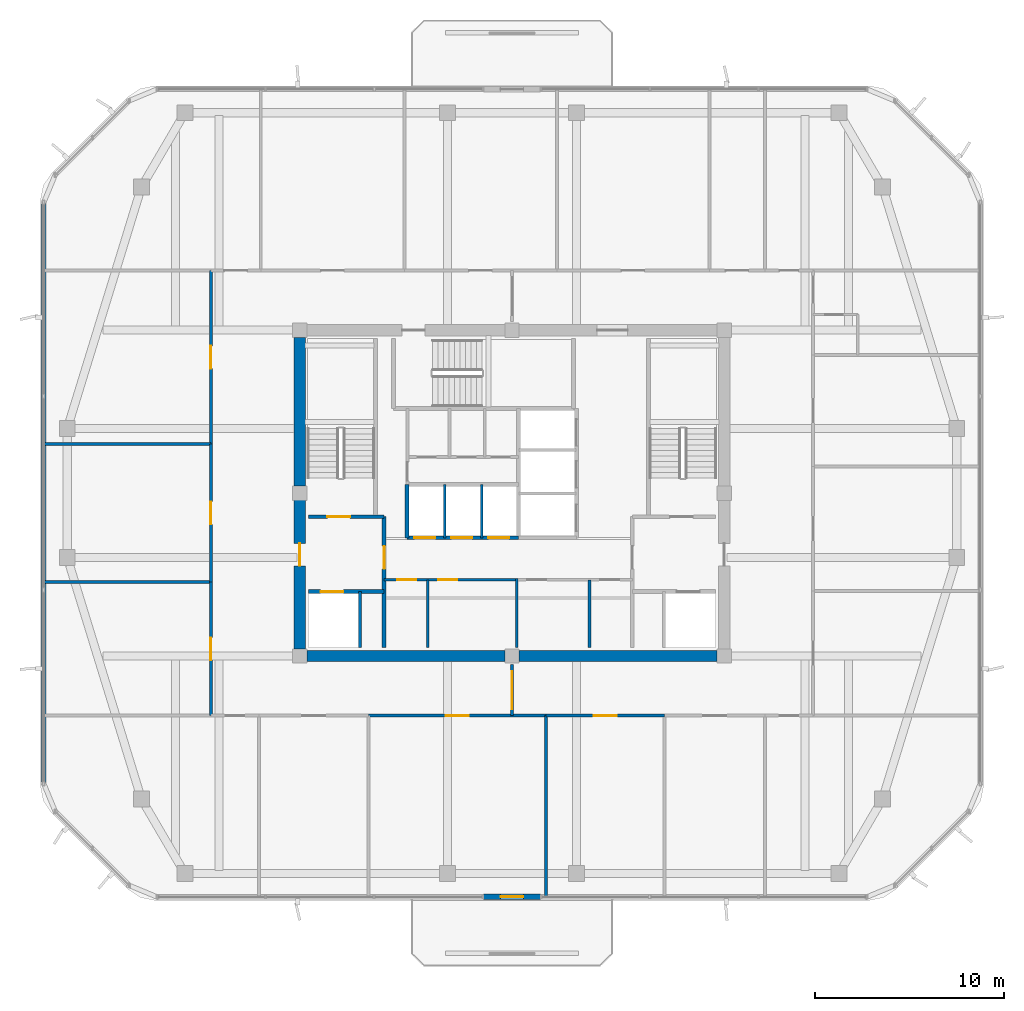
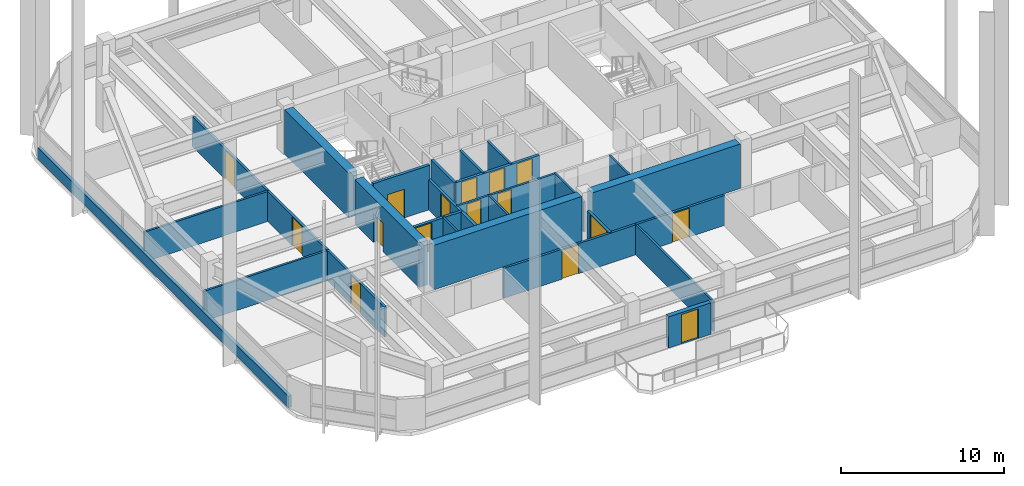
# One storey, part 7 of 13: 27 walls, 16 doors, 16 openings.
"""IFC4 building model written with IfcOpenShell, lengths in metres."""

import ifcopenshell
import ifcopenshell.guid

model = None  # the IFC model being written
_history = None  # IfcOwnerHistory: only IFC2X3 demands one
_inside = {}  # id of a spatial element -> (the spatial element, [elements in it])
_under = {}  # id of a project, library or spatial element -> (it, [spatial elements below it])
_declared = {}  # id of a project -> (the project, [libraries it declares])
_typed = {}  # id of a type object -> (the type object, [elements of that type])
_made_of = {}  # id of a material, layer set ... -> (it, [elements and type objects made of it])


def new_model(schema):
    """Start an empty IFC model of exactly this schema.

    Asked for "IFC4X3", IfcOpenShell would pick the latest addendum, in which some entities
    have other attributes; the version numbers below select the first issue.
    IFC2X3 requires an IfcOwnerHistory on every rooted entity: one is made here for all.
    """
    global model, _history
    if schema == "IFC4X3":
        model = ifcopenshell.file(schema_version=(4, 3, 0, 0))
    else:
        model = ifcopenshell.file(schema=schema)
    _inside.clear()
    _under.clear()
    _declared.clear()
    _typed.clear()
    _made_of.clear()
    _history = None
    if model.schema == "IFC2X3":
        org = make("IfcOrganization", Name="unknown")
        user = make(
            "IfcPersonAndOrganization",
            ThePerson=make("IfcPerson", FamilyName="unknown"),
            TheOrganization=org,
        )
        app = make(
            "IfcApplication",
            ApplicationDeveloper=org,
            Version="unknown",
            ApplicationFullName="unknown",
            ApplicationIdentifier="unknown",
        )
        _history = make(
            "IfcOwnerHistory",
            OwningUser=user,
            OwningApplication=app,
            ChangeAction="ADDED",
            CreationDate=0,
        )
    return model


def make(cls, **values):
    """One entity of the class cls with the attributes given. An attribute that is None is left unset."""
    return model.create_entity(
        cls, **{name: value for name, value in values.items() if value is not None}
    )


def rooted(cls, **values):
    """An entity with a GlobalId (a new one), such as an element, a storey or a relation."""
    return make(cls, GlobalId=ifcopenshell.guid.new(), OwnerHistory=_history, **values)


def si_unit(unit_type, name, prefix=None):
    """IfcSIUnit, for example si_unit("LENGTHUNIT", "METRE", prefix="MILLI")."""
    return make("IfcSIUnit", UnitType=unit_type, Prefix=prefix, Name=name)


def derived_unit(unit_type, elements):
    """IfcDerivedUnit: a product of units, each with its exponent."""
    return make(
        "IfcDerivedUnit",
        Elements=[
            make("IfcDerivedUnitElement", Unit=unit, Exponent=power)
            for unit, power in elements
        ],
        UnitType=unit_type,
    )


def assignment(units):
    """IfcUnitAssignment: the units of a project."""
    return None if units is None else make("IfcUnitAssignment", Units=units)


def point(xyz):
    """IfcCartesianPoint."""
    return None if xyz is None else make("IfcCartesianPoint", Coordinates=xyz)


def direction(xyz):
    """IfcDirection."""
    return None if xyz is None else make("IfcDirection", DirectionRatios=xyz)


def frame(location, z_axis=None, x_axis=None):
    """IfcAxis2Placement3D, a coordinate frame: its origin and axes. An axis left out is left unset."""
    return make(
        "IfcAxis2Placement3D",
        Location=point(location),
        Axis=direction(z_axis),
        RefDirection=direction(x_axis),
    )


def frame_2d(location, x_axis=None):
    """IfcAxis2Placement2D, a coordinate frame in the plane: its origin and x axis."""
    return make(
        "IfcAxis2Placement2D", Location=point(location), RefDirection=direction(x_axis)
    )


def origin():
    """The frame at (0, 0, 0) with its axes left unset."""
    return frame((0.0, 0.0, 0.0))


def place(relative_to, where):
    """IfcLocalPlacement: puts the frame where relative to a parent placement (None: the world)."""
    return make(
        "IfcLocalPlacement", PlacementRelTo=relative_to, RelativePlacement=where
    )


def context(
    kind, dimensions, precision=None, world=None, true_north=None, identifier=None
):
    """IfcGeometricRepresentationContext, for example the 3D "Model" context."""
    return make(
        "IfcGeometricRepresentationContext",
        ContextIdentifier=identifier,
        ContextType=kind,
        CoordinateSpaceDimension=dimensions,
        Precision=precision,
        WorldCoordinateSystem=world,
        TrueNorth=true_north,
    )


def subcontext(parent, identifier, kind, view, scale=None):
    """IfcGeometricRepresentationSubContext, for example "Body" below "Model"."""
    return make(
        "IfcGeometricRepresentationSubContext",
        ContextIdentifier=identifier,
        ContextType=kind,
        ParentContext=parent,
        TargetScale=scale,
        TargetView=view,
    )


def project(units=None, contexts=None):
    """IfcProject with its units and contexts."""
    return rooted(
        "IfcProject",
        Name="project",
        RepresentationContexts=contexts,
        UnitsInContext=assignment(units),
    )


def spatial(cls, under=None, at=None, **own):
    """A site, building, storey or space (cls), placed at a placement, below another one or the project."""
    s = rooted(cls, ObjectPlacement=at, **own)
    if under is not None:
        _under.setdefault(under.id(), (under, []))[1].append(s)
    return s


def profile(cls, at=None, kind="AREA", **sizes):
    """A parametric profile (cls). Its sizes go by their IFC names, for example OverallWidth=200.0."""
    return make(cls, ProfileType=kind, Position=at, **sizes)


def rectangle(**sizes):
    """IfcRectangleProfileDef."""
    return profile("IfcRectangleProfileDef", **sizes)


def extrude(swept, where, along, depth):
    """IfcExtrudedAreaSolid: the profile swept, set in the frame where, extruded along a direction by depth."""
    return make(
        "IfcExtrudedAreaSolid",
        SweptArea=swept,
        Position=where,
        ExtrudedDirection=direction(along),
        Depth=depth,
    )


def shape(context_of_items, identifier, shape_type, items):
    """IfcShapeRepresentation: the items that make up one representation, for example the "Body"."""
    return make(
        "IfcShapeRepresentation",
        ContextOfItems=context_of_items,
        RepresentationIdentifier=identifier,
        RepresentationType=shape_type,
        Items=items,
    )


def material(Name=None, Category=None):
    """IfcMaterial."""
    return make("IfcMaterial", Name=Name, Category=Category)


def layer(
    of_material, thickness, ventilated=None, Name=None, Category=None, Priority=None
):
    """IfcMaterialLayer: one layer of a wall or slab, of a material (None: an air gap)."""
    return make(
        "IfcMaterialLayer",
        Material=of_material,
        LayerThickness=thickness,
        IsVentilated=ventilated,
        Name=Name,
        Category=Category,
        Priority=Priority,
    )


def layer_set(layers, Name=None):
    """IfcMaterialLayerSet."""
    return make("IfcMaterialLayerSet", MaterialLayers=layers, LayerSetName=Name)


def made_of(thing, what):
    """Note that an element or type object is made of a material, layer set ...; save() writes the relation."""
    if what is not None:
        _made_of.setdefault(what.id(), (what, []))[1].append(thing)
    return thing


def type_object(cls, material=None, **own):
    """A type object (cls), such as IfcWallType, which elements share."""
    return made_of(rooted(cls, **own), material)


def element(
    cls,
    number,
    at=None,
    inside=None,
    cuts=None,
    type_object=None,
    material=None,
    context=None,
    identifier="Body",
    shape_type=None,
    held_by="IfcProductDefinitionShape",
    body=None,
    shapes=None,
    **own,
):
    """One element of the class cls, such as IfcWall. Its Tag is "e" and its number.

    at: its placement. inside: the storey or other place that contains it. cuts: it is an
    opening in that element (IfcRelVoidsElement). A single representation is given by context,
    identifier, shape_type and body (its items); several are given by shapes. held_by: the class
    of the entity that holds the representations. save() writes the other relations.
    """
    e = rooted(cls, Tag="e%d" % number, ObjectPlacement=at, **own)
    if body is not None:
        shapes = [shape(context, identifier, shape_type, body)]
    if shapes is not None:
        e.Representation = make(held_by, Representations=shapes)
    if inside is not None:
        _inside.setdefault(inside.id(), (inside, []))[1].append(e)
    if cuts is not None:
        rooted(
            "IfcRelVoidsElement", RelatingBuildingElement=cuts, RelatedOpeningElement=e
        )
    if type_object is not None:
        _typed.setdefault(type_object.id(), (type_object, []))[1].append(e)
    return made_of(e, material)


def fill(opening, filler):
    """IfcRelFillsElement: the door or window that sits in an opening."""
    return rooted(
        "IfcRelFillsElement",
        RelatingOpeningElement=opening,
        RelatedBuildingElement=filler,
    )


def aggregate(whole, parts):
    """IfcRelAggregates: a whole, such as a stair, and the parts it consists of."""
    return rooted("IfcRelAggregates", RelatingObject=whole, RelatedObjects=parts)


def save(model, path):
    """Write the relations noted so far, then the file.

    IfcRelAggregates (storeys below a building ...), IfcRelContainedInSpatialStructure (elements
    in a storey), IfcRelDefinesByType, IfcRelAssociatesMaterial and IfcRelDeclares: one each for
    every whole, place, type object, material and project.
    """
    for whole, parts in _under.values():
        aggregate(whole, parts)
    for where, things in _inside.values():
        rooted(
            "IfcRelContainedInSpatialStructure",
            RelatedElements=things,
            RelatingStructure=where,
        )
    for kind, things in _typed.values():
        rooted("IfcRelDefinesByType", RelatedObjects=things, RelatingType=kind)
    for what, things in _made_of.values():
        rooted("IfcRelAssociatesMaterial", RelatedObjects=things, RelatingMaterial=what)
    for by, libraries in _declared.values():
        rooted("IfcRelDeclares", RelatingContext=by, RelatedDefinitions=libraries)
    model.write(path)


model = new_model("IFC4")

# Units and contexts
model_context = context("Model", 3, precision=1e-05, world=origin(), true_north=direction((0.0, 1.0)))
body_context = subcontext(model_context, "Body", "Model", "MODEL_VIEW")
ifc_project = project(units=[si_unit("LENGTHUNIT", "METRE"), si_unit("AREAUNIT", "SQUARE_METRE"), si_unit("VOLUMEUNIT", "CUBIC_METRE"), si_unit("PLANEANGLEUNIT", "RADIAN"), si_unit("MASSUNIT", "GRAM", prefix="KILO"), derived_unit("THERMALTRANSMITTANCEUNIT", [(si_unit("POWERUNIT", "WATT"), 1), (si_unit("LENGTHUNIT", "METRE"), -2), (si_unit("THERMODYNAMICTEMPERATUREUNIT", "KELVIN"), -1)])], contexts=[model_context])

# Site, building, storey
site_placement = place(None, origin())
site = spatial("IfcSite", under=ifc_project, at=site_placement, CompositionType="ELEMENT")
building_placement = place(site_placement, origin())
building = spatial("IfcBuilding", under=site, at=building_placement, Name="Koralith Skygarden Medical Center", CompositionType="ELEMENT")
storey_placement = place(building_placement, frame((0.0, 0.0, 282.419921875)))
storey = spatial("IfcBuildingStorey", under=building, at=storey_placement, Name="L73", CompositionType="ELEMENT", Elevation=282.419921875)

# Wall, openings, doors
ifc_material_1 = material(Name="Gypsum Board Partition")
ifc_layer_1 = layer(ifc_material_1, 0.14990234375)
ifc_layer_set_1 = layer_set([ifc_layer_1], Name="Gypsum Board Partition")
wall_type_1 = type_object("IfcWallType", Name="Clinical Acoustic Partition 150", PredefinedType="PARTITIONING", material=ifc_layer_set_1)
wall_1_placement = place(storey_placement, frame((30.25, 21.320068359375, 0.0), z_axis=(0.0, 0.0, 1.0), x_axis=(1.0, 0.0, 0.0)))
wall_1 = element("IfcWall", 1, at=wall_1_placement, inside=storey, type_object=wall_type_1, Name="L73 Clinical Acoustic Partition 150 W-CORE-L73-FREED-LR-N", PredefinedType="PARTITIONING", context=body_context, shape_type="SweptSolid", body=[
    extrude(rectangle(XDim=7.0, YDim=0.14990234375, at=frame_2d((3.5, 0.0))), origin(), (0.0, 0.0, 1.0), 2.239990234375),
])
opening_1_placement = place(wall_1_placement, frame((0.699951171875, 0.0, 0.0)))
opening_1 = element("IfcOpeningElement", 2, at=opening_1_placement, cuts=wall_1, Name="Opening D-SUP", PredefinedType="OPENING", context=body_context, shape_type="SweptSolid", body=[
    extrude(rectangle(XDim=1.0, YDim=2.14990234375, at=frame_2d((0.5, 1.074951171875))), frame((0.0, 0.0849609375, 0.0), z_axis=(0.0, -1.0, 0.0), x_axis=(1.0, 0.0, 0.0)), (0.0, 0.0, 1.0), 0.169921875),
])
opening_2_placement = place(wall_1_placement, frame((2.85009765625, 0.0, 0.0)))
opening_2 = element("IfcOpeningElement", 3, at=opening_2_placement, cuts=wall_1, Name="Opening D-SUP", PredefinedType="OPENING", context=body_context, shape_type="SweptSolid", body=[
    extrude(rectangle(XDim=1.0, YDim=2.14990234375, at=frame_2d((0.5, 1.074951171875))), frame((0.0, 0.0849609375, 0.0), z_axis=(0.0, -1.0, 0.0), x_axis=(1.0, 0.0, 0.0)), (0.0, 0.0, 1.0), 0.169921875),
])
ifc_material_2 = material(Name="Aluminium 6063-T6", Category="aluminium")
door_type_1 = type_object("IfcDoorType", Name="Clinical Support Door D-SUP 1000", OperationType="NOTDEFINED", PredefinedType="DOOR", material=ifc_material_2)
door_1_placement = place(opening_1_placement, frame((1.0, 0.0, 0.0), z_axis=(0.0, 0.0, 1.0), x_axis=(-1.0, 0.0, 0.0)))
door_1 = element("IfcDoor", 4, at=door_1_placement, inside=storey, type_object=door_type_1, Name="L73 Medication Preparation Door", OperationType="SINGLE_SWING_LEFT", OverallHeight=2.14990234375, OverallWidth=1.0, PredefinedType="DOOR", context=body_context, shape_type="SweptSolid", body=[
    extrude(rectangle(XDim=1.0, YDim=2.14990234375, at=frame_2d((0.5, 1.074951171875))), frame((0.0, 0.02490234375, 0.0), z_axis=(0.0, -1.0, 0.0), x_axis=(1.0, 0.0, 0.0)), (0.0, 0.0, 1.0), 0.050048828125),
])
fill(opening_1, door_1)
door_2_placement = place(opening_2_placement, frame((1.0, 0.0, 0.0), z_axis=(0.0, 0.0, 1.0), x_axis=(-1.0, 0.0, 0.0)))
door_2 = element("IfcDoor", 5, at=door_2_placement, inside=storey, type_object=door_type_1, Name="L73 Telemetry Room Door", OperationType="SINGLE_SWING_RIGHT", OverallHeight=2.14990234375, OverallWidth=1.0, PredefinedType="DOOR", context=body_context, shape_type="SweptSolid", body=[
    extrude(rectangle(XDim=1.0, YDim=2.14990234375, at=frame_2d((0.5, 1.074951171875))), frame((0.0, 0.02490234375, 0.0), z_axis=(0.0, -1.0, 0.0), x_axis=(1.0, 0.0, 0.0)), (0.0, 0.0, 1.0), 0.050048828125),
])
fill(opening_2, door_2)

# Walls
for number, where, z_axis, x_axis, name in (
    (6, (32.550048828125, 17.75, 0.0), (0.0, 0.0, 1.0), (0.0, 1.0, 0.0), "L73 Clinical Acoustic Partition 150 W-CORE-L73-FREED-LR-M"),
    (7, (41.10009765625, 17.75, 0.0), (0.0, 0.0, 1.0), (0.0, 1.0, 0.0), "L73 Clinical Acoustic Partition 150 W-CORE-L73-FREED-MR-M"),
):
    element("IfcWall", number, at=place(storey_placement, frame(where, z_axis=z_axis, x_axis=x_axis)), inside=storey, type_object=wall_type_1, Name=name, PredefinedType="PARTITIONING", context=body_context, shape_type="SweptSolid", body=[
        extrude(rectangle(XDim=3.570068359375, YDim=0.14990234375, at=frame_2d((1.78515625, 0.0))), origin(), (0.0, 0.0, 1.0), 2.239990234375),
    ])
wall_2_placement = place(storey_placement, frame((38.800048828125, 14.14990234375, 0.0), z_axis=(0.0, 0.0, 1.0), x_axis=(0.0, -1.0, 0.0)))
element("IfcWall", 8, at=wall_2_placement, inside=storey, type_object=wall_type_1, Name="L73 Clinical Acoustic Partition 150 W-PART-L73-S-03", PredefinedType="PARTITIONING", context=body_context, shape_type="SweptSolid", body=[
    extrude(rectangle(XDim=9.5498046875, YDim=0.14990234375, at=frame_2d((4.77490234375, 0.0))), origin(), (0.0, 0.0, 1.0), 2.239990234375),
])
for number, where, z_axis, x_axis, name in (
    (9, (21.10009765625, 21.199951171875, 0.0), (0.0, 0.0, 1.0), (-1.0, 0.0, 0.0), "L73 Clinical Acoustic Partition 150 W-PART-L73-W-01"),
    (10, (21.10009765625, 28.485107421875, 0.0), (0.0, 0.0, 1.0), (-1.0, 0.0, 0.0), "L73 Clinical Acoustic Partition 150 W-PART-L73-W-02"),
):
    element("IfcWall", number, at=place(storey_placement, frame(where, z_axis=z_axis, x_axis=x_axis)), inside=storey, type_object=wall_type_1, Name=name, PredefinedType="PARTITIONING", context=body_context, shape_type="SweptSolid", body=[
        extrude(rectangle(XDim=8.800048828125, YDim=0.14990234375, at=frame_2d((4.39990234375, 0.0))), origin(), (0.0, 0.0, 1.0), 2.239990234375),
    ])

# Wall, opening, door
ifc_layer_2 = layer(ifc_material_1, 0.1650390625)
ifc_layer_set_2 = layer_set([ifc_layer_2], Name="Gypsum Board Partition")
wall_type_2 = type_object("IfcWallType", Name="Clinical Corridor Partition 165", PredefinedType="PARTITIONING", material=ifc_layer_set_2)
wall_3_placement = place(storey_placement, frame((29.422119140625, 14.14990234375, 0.0), z_axis=(0.0, 0.0, 1.0), x_axis=(1.0, 0.0, 0.0)))
wall_3 = element("IfcWall", 11, at=wall_3_placement, inside=storey, type_object=wall_type_2, Name="L73 Clinical Corridor Partition 165 W-CORR-L73-S-03", PredefinedType="PARTITIONING", context=body_context, shape_type="SweptSolid", body=[
    extrude(rectangle(XDim=9.3779296875, YDim=0.1650390625, at=frame_2d((4.68896484375, 0.0))), origin(), (0.0, 0.0, 1.0), 2.239990234375),
])
opening_3_placement = place(wall_3_placement, frame((4.089111328125, 0.0, 0.0)))
opening_3 = element("IfcOpeningElement", 12, at=opening_3_placement, cuts=wall_3, Name="Opening D-CLN", PredefinedType="OPENING", context=body_context, shape_type="SweptSolid", body=[
    extrude(rectangle(XDim=1.199951171875, YDim=2.14990234375, at=frame_2d((0.60009765625, 1.074951171875))), frame((0.0, 0.092529296875, 0.0), z_axis=(0.0, -1.0, 0.0), x_axis=(1.0, 0.0, 0.0)), (0.0, 0.0, 1.0), 0.18505859375),
])
door_type_2 = type_object("IfcDoorType", Name="Clinical Corridor Door D-CLN 1200", OperationType="NOTDEFINED", PredefinedType="DOOR", material=ifc_material_2)
door_3_placement = place(opening_3_placement, frame((1.199951171875, 0.0, 0.0), z_axis=(0.0, 0.0, 1.0), x_axis=(-1.0, 0.0, 0.0)))
door_3 = element("IfcDoor", 13, at=door_3_placement, inside=storey, type_object=door_type_2, Name="L73 Patient and Family Sky-Garden Day Lounge 09 Door", OperationType="SINGLE_SWING_RIGHT", OverallHeight=2.14990234375, OverallWidth=1.199951171875, PredefinedType="DOOR", context=body_context, shape_type="SweptSolid", body=[
    extrude(rectangle(XDim=1.199951171875, YDim=2.14990234375, at=frame_2d((0.60009765625, 1.074951171875))), frame((0.0, 0.02490234375, 0.0), z_axis=(0.0, -1.0, 0.0), x_axis=(1.0, 0.0, 0.0)), (0.0, 0.0, 1.0), 0.050048828125),
])
fill(opening_3, door_3)

wall_4_placement = place(storey_placement, frame((38.800048828125, 14.14990234375, 0.0), z_axis=(0.0, 0.0, 1.0), x_axis=(1.0, 0.0, 0.0)))
wall_4 = element("IfcWall", 14, at=wall_4_placement, inside=storey, type_object=wall_type_2, Name="L73 Clinical Corridor Partition 165 W-CORR-L73-S-04", PredefinedType="PARTITIONING", context=body_context, shape_type="SweptSolid", body=[
    extrude(rectangle(XDim=6.2509765625, YDim=0.1650390625, at=frame_2d((3.12548828125, 0.0))), origin(), (0.0, 0.0, 1.0), 2.239990234375),
])
opening_4_placement = place(wall_4_placement, frame((2.52587890625, 0.0, 0.0)))
opening_4 = element("IfcOpeningElement", 15, at=opening_4_placement, cuts=wall_4, Name="Opening D-CLN", PredefinedType="OPENING", context=body_context, shape_type="SweptSolid", body=[
    extrude(rectangle(XDim=1.199951171875, YDim=2.14990234375, at=frame_2d((0.60009765625, 1.074951171875))), frame((0.0, 0.092529296875, 0.0), z_axis=(0.0, -1.0, 0.0), x_axis=(1.0, 0.0, 0.0)), (0.0, 0.0, 1.0), 0.18505859375),
])
door_4_placement = place(opening_4_placement, frame((1.199951171875, 0.0, 0.0), z_axis=(0.0, 0.0, 1.0), x_axis=(-1.0, 0.0, 0.0)))
door_4 = element("IfcDoor", 16, at=door_4_placement, inside=storey, type_object=door_type_2, Name="L73 Rehab Engineering Office 10 Door", OperationType="SINGLE_SWING_LEFT", OverallHeight=2.14990234375, OverallWidth=1.199951171875, PredefinedType="DOOR", context=body_context, shape_type="SweptSolid", body=[
    extrude(rectangle(XDim=1.199951171875, YDim=2.14990234375, at=frame_2d((0.60009765625, 1.074951171875))), frame((0.0, 0.02490234375, 0.0), z_axis=(0.0, -1.0, 0.0), x_axis=(1.0, 0.0, 0.0)), (0.0, 0.0, 1.0), 0.050048828125),
])
fill(opening_4, door_4)

wall_5_placement = place(storey_placement, frame((21.10009765625, 14.14990234375, 0.0), z_axis=(0.0, 0.0, 1.0), x_axis=(0.0, 1.0, 0.0)))
wall_5 = element("IfcWall", 17, at=wall_5_placement, inside=storey, type_object=wall_type_2, Name="L73 Clinical Corridor Partition 165 W-CORR-L73-W-01", PredefinedType="PARTITIONING", context=body_context, shape_type="SweptSolid", body=[
    extrude(rectangle(XDim=7.050048828125, YDim=0.1650390625, at=frame_2d((3.52490234375, 0.0))), origin(), (0.0, 0.0, 1.0), 2.239990234375),
])
opening_5_placement = place(wall_5_placement, frame((2.925048828125, 0.0, 0.0)))
opening_5 = element("IfcOpeningElement", 18, at=opening_5_placement, cuts=wall_5, Name="Opening D-CLN", PredefinedType="OPENING", context=body_context, shape_type="SweptSolid", body=[
    extrude(rectangle(XDim=1.199951171875, YDim=2.14990234375, at=frame_2d((0.60009765625, 1.074951171875))), frame((0.0, 0.092529296875, 0.0), z_axis=(0.0, -1.0, 0.0), x_axis=(1.0, 0.0, 0.0)), (0.0, 0.0, 1.0), 0.18505859375),
])
door_5_placement = place(opening_5_placement, frame((1.199951171875, 0.0, 0.0), z_axis=(0.0, 0.0, 1.0), x_axis=(-1.0, 0.0, 0.0)))
door_5 = element("IfcDoor", 19, at=door_5_placement, inside=storey, type_object=door_type_2, Name="L73 Limb Fitting Treatment Room 13 Door", OperationType="SINGLE_SWING_RIGHT", OverallHeight=2.14990234375, OverallWidth=1.199951171875, PredefinedType="DOOR", context=body_context, shape_type="SweptSolid", body=[
    extrude(rectangle(XDim=1.199951171875, YDim=2.14990234375, at=frame_2d((0.60009765625, 1.074951171875))), frame((0.0, 0.02490234375, 0.0), z_axis=(0.0, -1.0, 0.0), x_axis=(1.0, 0.0, 0.0)), (0.0, 0.0, 1.0), 0.050048828125),
])
fill(opening_5, door_5)

wall_6_placement = place(storey_placement, frame((21.10009765625, 21.199951171875, 0.0), z_axis=(0.0, 0.0, 1.0), x_axis=(0.0, 1.0, 0.0)))
wall_6 = element("IfcWall", 20, at=wall_6_placement, inside=storey, type_object=wall_type_2, Name="L73 Clinical Corridor Partition 165 W-CORR-L73-W-02", PredefinedType="PARTITIONING", context=body_context, shape_type="SweptSolid", body=[
    extrude(rectangle(XDim=7.28515625, YDim=0.1650390625, at=frame_2d((3.642578125, 0.0))), origin(), (0.0, 0.0, 1.0), 2.239990234375),
])
opening_6_placement = place(wall_6_placement, frame((3.0419921875, 0.0, 0.0)))
opening_6 = element("IfcOpeningElement", 21, at=opening_6_placement, cuts=wall_6, Name="Opening D-CLN", PredefinedType="OPENING", context=body_context, shape_type="SweptSolid", body=[
    extrude(rectangle(XDim=1.199951171875, YDim=2.14990234375, at=frame_2d((0.60009765625, 1.074951171875))), frame((0.0, 0.092529296875, 0.0), z_axis=(0.0, -1.0, 0.0), x_axis=(1.0, 0.0, 0.0)), (0.0, 0.0, 1.0), 0.18505859375),
])
door_6_placement = place(opening_6_placement, frame((1.199951171875, 0.0, 0.0), z_axis=(0.0, 0.0, 1.0), x_axis=(-1.0, 0.0, 0.0)))
door_6 = element("IfcDoor", 22, at=door_6_placement, inside=storey, type_object=door_type_2, Name="L73 Rehab Engineering Office 14 Door", OperationType="SINGLE_SWING_LEFT", OverallHeight=2.14990234375, OverallWidth=1.199951171875, PredefinedType="DOOR", context=body_context, shape_type="SweptSolid", body=[
    extrude(rectangle(XDim=1.199951171875, YDim=2.14990234375, at=frame_2d((0.60009765625, 1.074951171875))), frame((0.0, 0.02490234375, 0.0), z_axis=(0.0, -1.0, 0.0), x_axis=(1.0, 0.0, 0.0)), (0.0, 0.0, 1.0), 0.050048828125),
])
fill(opening_6, door_6)

wall_7_placement = place(storey_placement, frame((21.10009765625, 28.485107421875, 0.0), z_axis=(0.0, 0.0, 1.0), x_axis=(0.0, 1.0, 0.0)))
wall_7 = element("IfcWall", 23, at=wall_7_placement, inside=storey, type_object=wall_type_2, Name="L73 Clinical Corridor Partition 165 W-CORR-L73-W-03", PredefinedType="PARTITIONING", context=body_context, shape_type="SweptSolid", body=[
    extrude(rectangle(XDim=9.164794921875, YDim=0.1650390625, at=frame_2d((4.58251953125, 0.0))), origin(), (0.0, 0.0, 1.0), 2.239990234375),
])
opening_7_placement = place(wall_7_placement, frame((3.98193359375, 0.0, 0.0)))
opening_7 = element("IfcOpeningElement", 24, at=opening_7_placement, cuts=wall_7, Name="Opening D-CLN", PredefinedType="OPENING", context=body_context, shape_type="SweptSolid", body=[
    extrude(rectangle(XDim=1.199951171875, YDim=2.14990234375, at=frame_2d((0.60009765625, 1.074951171875))), frame((0.0, 0.092529296875, 0.0), z_axis=(0.0, -1.0, 0.0), x_axis=(1.0, 0.0, 0.0)), (0.0, 0.0, 1.0), 0.18505859375),
])
door_7_placement = place(opening_7_placement, frame((1.199951171875, 0.0, 0.0), z_axis=(0.0, 0.0, 1.0), x_axis=(-1.0, 0.0, 0.0)))
door_7 = element("IfcDoor", 25, at=door_7_placement, inside=storey, type_object=door_type_2, Name="L73 Prosthetics Orthotics Supply Store 15 Door", OperationType="SINGLE_SWING_RIGHT", OverallHeight=2.14990234375, OverallWidth=1.199951171875, PredefinedType="DOOR", context=body_context, shape_type="SweptSolid", body=[
    extrude(rectangle(XDim=1.199951171875, YDim=2.14990234375, at=frame_2d((0.60009765625, 1.074951171875))), frame((0.0, 0.02490234375, 0.0), z_axis=(0.0, -1.0, 0.0), x_axis=(1.0, 0.0, 0.0)), (0.0, 0.0, 1.0), 0.050048828125),
])
fill(opening_7, door_7)

ifc_layer_3 = layer(ifc_material_1, 0.199951171875)
ifc_layer_set_3 = layer_set([ifc_layer_3], Name="Gypsum Board Partition")
wall_type_3 = type_object("IfcWallType", Name="Fire Shaft Wall 200", PredefinedType="SOLIDWALL", material=ifc_layer_set_3)
wall_8_placement = place(storey_placement, frame((26.25, 20.699951171875, 0.0), z_axis=(0.0, 0.0, 1.0), x_axis=(1.0, 0.0, 0.0)))
wall_8 = element("IfcWall", 26, at=wall_8_placement, inside=storey, type_object=wall_type_3, Name="L73 Fire Shaft Wall 200 W-CORE-L73-FF1-N", PredefinedType="SOLIDWALL", context=body_context, shape_type="SweptSolid", body=[
    extrude(rectangle(XDim=4.0, YDim=0.199951171875, at=frame_2d((2.0, 0.0))), origin(), (0.0, 0.0, 1.0), 2.239990234375),
])
opening_8_placement = place(wall_8_placement, frame((0.64990234375, 0.0, 0.0)))
opening_8 = element("IfcOpeningElement", 27, at=opening_8_placement, cuts=wall_8, Name="Opening LD-FF", PredefinedType="OPENING", context=body_context, shape_type="SweptSolid", body=[
    extrude(rectangle(XDim=1.199951171875, YDim=2.14990234375, at=frame_2d((0.60009765625, 1.074951171875))), frame((0.0, 0.10986328125, 0.0), z_axis=(0.0, -1.0, 0.0), x_axis=(1.0, 0.0, 0.0)), (0.0, 0.0, 1.0), 0.219970703125),
])
ifc_material_3 = material(Name="Steel ASTM A500 Grade C", Category="steel")
door_type_3 = type_object("IfcDoorType", Name="Fire Lift Sliding Landing Door LD-FF 1200", OperationType="NOTDEFINED", PredefinedType="DOOR", material=ifc_material_3)
door_8_placement = place(opening_8_placement, origin())
door_8 = element("IfcDoor", 28, at=door_8_placement, inside=storey, type_object=door_type_3, Name="L73 Fire Service Elevator FF1 Landing Door", OperationType="SLIDING_TO_LEFT", OverallHeight=2.14990234375, OverallWidth=1.199951171875, PredefinedType="DOOR", context=body_context, shape_type="SweptSolid", body=[
    extrude(rectangle(XDim=1.199951171875, YDim=2.14990234375, at=frame_2d((0.60009765625, 1.074951171875))), frame((0.0, 0.02490234375, 0.0), z_axis=(0.0, -1.0, 0.0), x_axis=(1.0, 0.0, 0.0)), (0.0, 0.0, 1.0), 0.050048828125),
])
fill(opening_8, door_8)

wall_9_placement = place(storey_placement, frame((30.25, 17.75, 0.0), z_axis=(0.0, 0.0, 1.0), x_axis=(0.0, 1.0, 0.0)))
wall_9 = element("IfcWall", 29, at=wall_9_placement, inside=storey, type_object=wall_type_3, Name="L73 Fire Shaft Wall 200 W-CORE-L73-FSAEW-E", PredefinedType="SOLIDWALL", context=body_context, shape_type="SweptSolid", body=[
    extrude(rectangle(XDim=6.89990234375, YDim=0.199951171875, at=frame_2d((3.449951171875, 0.0))), origin(), (0.0, 0.0, 1.0), 2.239990234375),
])
opening_9_placement = place(wall_9_placement, frame((4.14990234375, 0.0, 0.0)))
opening_9 = element("IfcOpeningElement", 30, at=opening_9_placement, cuts=wall_9, Name="Opening D-ST60", PredefinedType="OPENING", context=body_context, shape_type="SweptSolid", body=[
    extrude(rectangle(XDim=1.199951171875, YDim=2.14990234375, at=frame_2d((0.60009765625, 1.074951171875))), frame((0.0, 0.10986328125, 0.0), z_axis=(0.0, -1.0, 0.0), x_axis=(1.0, 0.0, 0.0)), (0.0, 0.0, 1.0), 0.219970703125),
])
door_type_4 = type_object("IfcDoorType", Name="Smokeproof Stair Fire Door FD60S 1200", OperationType="NOTDEFINED", PredefinedType="DOOR", material=ifc_material_3)
door_9_placement = place(opening_9_placement, origin())
door_9 = element("IfcDoor", 31, at=door_9_placement, inside=storey, type_object=door_type_4, Name="L73 West Firefighting Lobby Inner Fire Door", OperationType="SINGLE_SWING_LEFT", OverallHeight=2.14990234375, OverallWidth=1.199951171875, PredefinedType="DOOR", context=body_context, shape_type="SweptSolid", body=[
    extrude(rectangle(XDim=1.199951171875, YDim=2.14990234375, at=frame_2d((0.60009765625, 1.074951171875))), frame((0.0, 0.02490234375, 0.0), z_axis=(0.0, -1.0, 0.0), x_axis=(1.0, 0.0, 0.0)), (0.0, 0.0, 1.0), 0.050048828125),
])
fill(opening_9, door_9)

# Wall, openings, doors
wall_10_placement = place(storey_placement, frame((31.449951171875, 23.5400390625, 0.0), z_axis=(0.0, 0.0, 1.0), x_axis=(1.0, 0.0, 0.0)))
wall_10 = element("IfcWall", 32, at=wall_10_placement, inside=storey, type_object=wall_type_3, Name="L73 Fire Shaft Wall 200 W-CORE-L73-PH-S", PredefinedType="SOLIDWALL", context=body_context, shape_type="SweptSolid", body=[
    extrude(rectangle(XDim=5.900146484375, YDim=0.199951171875, at=frame_2d((2.9501953125, 0.0))), origin(), (0.0, 0.0, 1.0), 2.239990234375),
])
opening_10_placement = place(wall_10_placement, frame((0.39990234375, 0.0, 0.0)))
opening_10 = element("IfcOpeningElement", 33, at=opening_10_placement, cuts=wall_10, Name="Opening LD-P", PredefinedType="OPENING", context=body_context, shape_type="SweptSolid", body=[
    extrude(rectangle(XDim=1.10009765625, YDim=2.14990234375, at=frame_2d((0.550048828125, 1.074951171875))), frame((0.0, 0.10986328125, 0.0), z_axis=(0.0, -1.0, 0.0), x_axis=(1.0, 0.0, 0.0)), (0.0, 0.0, 1.0), 0.219970703125),
])
opening_11_placement = place(wall_10_placement, frame((2.35009765625, 0.0, 0.0)))
opening_11 = element("IfcOpeningElement", 34, at=opening_11_placement, cuts=wall_10, Name="Opening LD-P", PredefinedType="OPENING", context=body_context, shape_type="SweptSolid", body=[
    extrude(rectangle(XDim=1.10009765625, YDim=2.14990234375, at=frame_2d((0.550048828125, 1.074951171875))), frame((0.0, 0.10986328125, 0.0), z_axis=(0.0, -1.0, 0.0), x_axis=(1.0, 0.0, 0.0)), (0.0, 0.0, 1.0), 0.219970703125),
])
opening_12_placement = place(wall_10_placement, frame((4.300048828125, 0.0, 0.0)))
opening_12 = element("IfcOpeningElement", 35, at=opening_12_placement, cuts=wall_10, Name="Opening LD-P", PredefinedType="OPENING", context=body_context, shape_type="SweptSolid", body=[
    extrude(rectangle(XDim=1.10009765625, YDim=2.14990234375, at=frame_2d((0.550048828125, 1.074951171875))), frame((0.0, 0.10986328125, 0.0), z_axis=(0.0, -1.0, 0.0), x_axis=(1.0, 0.0, 0.0)), (0.0, 0.0, 1.0), 0.219970703125),
])
door_type_5 = type_object("IfcDoorType", Name="Passenger Lift Sliding Landing Door LD-P 1100", OperationType="NOTDEFINED", PredefinedType="DOOR", material=ifc_material_3)
door_10_placement = place(opening_10_placement, origin())
door_10 = element("IfcDoor", 36, at=door_10_placement, inside=storey, type_object=door_type_5, Name="L73 Passenger Elevator PH1 Landing Door", OperationType="SLIDING_TO_RIGHT", OverallHeight=2.14990234375, OverallWidth=1.10009765625, PredefinedType="DOOR", context=body_context, shape_type="SweptSolid", body=[
    extrude(rectangle(XDim=1.10009765625, YDim=2.14990234375, at=frame_2d((0.550048828125, 1.074951171875))), frame((0.0, 0.02490234375, 0.0), z_axis=(0.0, -1.0, 0.0), x_axis=(1.0, 0.0, 0.0)), (0.0, 0.0, 1.0), 0.050048828125),
])
fill(opening_10, door_10)
door_11_placement = place(opening_11_placement, origin())
door_11 = element("IfcDoor", 37, at=door_11_placement, inside=storey, type_object=door_type_5, Name="L73 Passenger Elevator PH2 Landing Door", OperationType="SLIDING_TO_RIGHT", OverallHeight=2.14990234375, OverallWidth=1.10009765625, PredefinedType="DOOR", context=body_context, shape_type="SweptSolid", body=[
    extrude(rectangle(XDim=1.10009765625, YDim=2.14990234375, at=frame_2d((0.550048828125, 1.074951171875))), frame((0.0, 0.02490234375, 0.0), z_axis=(0.0, -1.0, 0.0), x_axis=(1.0, 0.0, 0.0)), (0.0, 0.0, 1.0), 0.050048828125),
])
fill(opening_11, door_11)
door_12_placement = place(opening_12_placement, origin())
door_12 = element("IfcDoor", 38, at=door_12_placement, inside=storey, type_object=door_type_5, Name="L73 Passenger Elevator PH3 Landing Door", OperationType="SLIDING_TO_RIGHT", OverallHeight=2.14990234375, OverallWidth=1.10009765625, PredefinedType="DOOR", context=body_context, shape_type="SweptSolid", body=[
    extrude(rectangle(XDim=1.10009765625, YDim=2.14990234375, at=frame_2d((0.550048828125, 1.074951171875))), frame((0.0, 0.02490234375, 0.0), z_axis=(0.0, -1.0, 0.0), x_axis=(1.0, 0.0, 0.0)), (0.0, 0.0, 1.0), 0.050048828125),
])
fill(opening_12, door_12)

# Wall
wall_11_placement = place(storey_placement, frame((31.449951171875, 23.5400390625, 0.0), z_axis=(0.0, 0.0, 1.0), x_axis=(0.0, 1.0, 0.0)))
element("IfcWall", 39, at=wall_11_placement, inside=storey, type_object=wall_type_3, Name="L73 Fire Shaft Wall 200 W-CORE-L73-PH-W", PredefinedType="SOLIDWALL", context=body_context, shape_type="SweptSolid", body=[
    extrude(rectangle(XDim=2.81005859375, YDim=0.199951171875, at=frame_2d((1.405029296875, 0.0))), origin(), (0.0, 0.0, 1.0), 2.239990234375),
])

# Wall, opening, door
ifc_layer_4 = layer(ifc_material_1, 0.179931640625)
ifc_layer_set_4 = layer_set([ifc_layer_4], Name="Gypsum Board Partition")
wall_type_4 = type_object("IfcWallType", Name="Group I-2 Smoke Barrier Wall 180", PredefinedType="PARTITIONING", material=ifc_layer_set_4)
wall_12_placement = place(storey_placement, frame((37.0, 14.14990234375, 0.0), z_axis=(0.0, 0.0, 1.0), x_axis=(0.0, 1.0, 0.0)))
wall_12 = element("IfcWall", 40, at=wall_12_placement, inside=storey, type_object=wall_type_4, Name="L73 Group I-2 Smoke Barrier Wall 180 W-SMK-L73-S", PredefinedType="PARTITIONING", context=body_context, shape_type="SweptSolid", body=[
    extrude(rectangle(XDim=2.7001953125, YDim=0.179931640625, at=frame_2d((1.35009765625, 0.0))), origin(), (0.0, 0.0, 1.0), 2.239990234375),
])
opening_13_placement = place(wall_12_placement, frame((0.35009765625, 0.0, 0.0)))
opening_13 = element("IfcOpeningElement", 41, at=opening_13_placement, cuts=wall_12, Name="Opening D-SMK", PredefinedType="OPENING", context=body_context, shape_type="SweptSolid", body=[
    extrude(rectangle(XDim=2.0, YDim=2.199951171875, at=frame_2d((1.0, 1.10009765625))), frame((0.0, 0.099853515625, 0.0), z_axis=(0.0, -1.0, 0.0), x_axis=(1.0, 0.0, 0.0)), (0.0, 0.0, 1.0), 0.199951171875),
])
door_type_6 = type_object("IfcDoorType", Name="Cross-Corridor Double Smoke Door FD60S 2000", OperationType="NOTDEFINED", PredefinedType="DOOR", material=ifc_material_3)
door_13_placement = place(opening_13_placement, frame((2.0, 0.0, 0.0), z_axis=(0.0, 0.0, 1.0), x_axis=(-1.0, 0.0, 0.0)))
door_13 = element("IfcDoor", 42, at=door_13_placement, inside=storey, type_object=door_type_6, Name="L73 S Smoke Compartment Cross-Corridor Door", OperationType="DOUBLE_DOOR_SINGLE_SWING", OverallHeight=2.199951171875, OverallWidth=2.0, PredefinedType="DOOR", context=body_context, shape_type="SweptSolid", body=[
    extrude(rectangle(XDim=2.0, YDim=2.199951171875, at=frame_2d((1.0, 1.10009765625))), frame((0.0, 0.02490234375, 0.0), z_axis=(0.0, -1.0, 0.0), x_axis=(1.0, 0.0, 0.0)), (0.0, 0.0, 1.0), 0.050048828125),
])
fill(opening_13, door_13)

# Wall
ifc_material_4 = material(Name="Warm Oolitic Limestone Cladding", Category="masonry")
ifc_layer_5 = layer(ifc_material_4, 0.239990234375)
ifc_layer_set_5 = layer_set([ifc_layer_5], Name="Warm Oolitic Limestone Cladding")
wall_type_5 = type_object("IfcWallType", Name="Limestone Spandrel Sill Backup Wall 240", PredefinedType="SOLIDWALL", material=ifc_layer_set_5)
wall_13_placement = place(storey_placement, frame((12.280029296875, 41.2451171875, 0.0), z_axis=(0.0, 0.0, 1.0), x_axis=(0.0, -1.0, 0.0)))
element("IfcWall", 43, at=wall_13_placement, inside=storey, type_object=wall_type_5, Name="L73 Sill Spandrel W", PredefinedType="SOLIDWALL", context=body_context, shape_type="SweptSolid", body=[
    extrude(rectangle(XDim=30.690185546875, YDim=0.239990234375, at=frame_2d((15.34521484375, 0.0))), origin(), (0.0, 0.0, 1.0), 0.85009765625),
])

# Wall, opening, door
ifc_layer_6 = layer(ifc_material_4, 0.300048828125)
ifc_layer_set_6 = layer_set([ifc_layer_6], Name="Warm Oolitic Limestone Cladding")
wall_type_6 = type_object("IfcWallType", Name="Oolitic Limestone Insulated Facade Wall 300", PredefinedType="SOLIDWALL", material=ifc_layer_set_6)
wall_14_placement = place(storey_placement, frame((35.4990234375, 4.580078125, 0.0), z_axis=(0.0, 0.0, 1.0), x_axis=(1.0, 0.0, 0.0)))
wall_14 = element("IfcWall", 44, at=wall_14_placement, inside=storey, type_object=wall_type_6, Name="L73 Terrace Portal Wall S", PredefinedType="SOLIDWALL", context=body_context, shape_type="SweptSolid", body=[
    extrude(rectangle(XDim=3.0, YDim=0.300048828125, at=frame_2d((1.5, 0.0))), origin(), (0.0, 0.0, 1.0), 2.35009765625),
])
opening_14_placement = place(wall_14_placement, frame((0.89990234375, 0.0, 0.0)))
opening_14 = element("IfcOpeningElement", 45, at=opening_14_placement, cuts=wall_14, Name="Opening D-BAL", PredefinedType="OPENING", context=body_context, shape_type="SweptSolid", body=[
    extrude(rectangle(XDim=1.199951171875, YDim=2.199951171875, at=frame_2d((0.60009765625, 1.10009765625))), frame((0.0, 0.159912109375, 0.0), z_axis=(0.0, -1.0, 0.0), x_axis=(1.0, 0.0, 0.0)), (0.0, 0.0, 1.0), 0.320068359375),
])
door_type_7 = type_object("IfcDoorType", Name="Planted Balcony Glazed Terrace Door D-BAL 1200", OperationType="NOTDEFINED", PredefinedType="DOOR", material=ifc_material_2)
door_14_placement = place(opening_14_placement, origin())
door_14 = element("IfcDoor", 46, at=door_14_placement, inside=storey, type_object=door_type_7, Name="L73 S Outdoor Terrace Access Door", OperationType="SINGLE_SWING_RIGHT", OverallHeight=2.199951171875, OverallWidth=1.199951171875, PredefinedType="DOOR", context=body_context, shape_type="SweptSolid", body=[
    extrude(rectangle(XDim=1.199951171875, YDim=2.199951171875, at=frame_2d((0.60009765625, 1.10009765625))), frame((0.0, 0.02490234375, 0.0), z_axis=(0.0, -1.0, 0.0), x_axis=(1.0, 0.0, 0.0)), (0.0, 0.0, 1.0), 0.050048828125),
])
fill(opening_14, door_14)

# Walls
ifc_layer_7 = layer(ifc_material_1, 0.14990234375)
ifc_layer_set_7 = layer_set([ifc_layer_7], Name="Gypsum Board Partition")
wall_type_7 = type_object("IfcWallType", Name="Shaft Partition Wall 150", PredefinedType="PARTITIONING", material=ifc_layer_set_7)
wall_15_placement = place(storey_placement, frame((28.969970703125, 17.75, 0.0), z_axis=(0.0, 0.0, 1.0), x_axis=(0.0, 1.0, 0.0)))
element("IfcWall", 47, at=wall_15_placement, inside=storey, type_object=wall_type_7, Name="L73 Shaft Partition Wall 150 W-CORE-L73-RSRW-DIV", PredefinedType="PARTITIONING", context=body_context, shape_type="SweptSolid", body=[
    extrude(rectangle(XDim=2.949951171875, YDim=0.14990234375, at=frame_2d((1.47509765625, 0.0))), origin(), (0.0, 0.0, 1.0), 2.239990234375),
])
wall_16_placement = place(storey_placement, frame((37.25, 17.75, 0.0), z_axis=(0.0, 0.0, 1.0), x_axis=(0.0, 1.0, 0.0)))
element("IfcWall", 48, at=wall_16_placement, inside=storey, type_object=wall_type_7, Name="L73 Shaft Partition Wall 150 W-CORE-L73-PL-PM-SEP", PredefinedType="PARTITIONING", context=body_context, shape_type="SweptSolid", body=[
    extrude(rectangle(XDim=3.64990234375, YDim=0.14990234375, at=frame_2d((1.824951171875, 0.0))), origin(), (0.0, 0.0, 1.0), 2.239990234375),
])
for number, where, z_axis, x_axis, name in (
    (49, (33.449951171875, 23.5400390625, 0.0), (0.0, 0.0, 1.0), (0.0, 1.0, 0.0), "L73 Shaft Partition Wall 150 W-CORE-L73-PH-D1"),
    (50, (35.39990234375, 23.5400390625, 0.0), (0.0, 0.0, 1.0), (0.0, 1.0, 0.0), "L73 Shaft Partition Wall 150 W-CORE-L73-PH-D2"),
):
    element("IfcWall", number, at=place(storey_placement, frame(where, z_axis=z_axis, x_axis=x_axis)), inside=storey, type_object=wall_type_7, Name=name, PredefinedType="PARTITIONING", context=body_context, shape_type="SweptSolid", body=[
        extrude(rectangle(XDim=2.81005859375, YDim=0.14990234375, at=frame_2d((1.405029296875, 0.0))), origin(), (0.0, 0.0, 1.0), 2.239990234375),
    ])

# Wall, opening, door
ifc_material_5 = material(Name="Concrete C45/55", Category="concrete")
ifc_layer_8 = layer(ifc_material_5, 0.199951171875)
ifc_layer_set_8 = layer_set([ifc_layer_8], Name="Concrete C45/55")
wall_type_8 = type_object("IfcWallType", Name="Structural Stair Shaft Wall 200", PredefinedType="SHEAR", material=ifc_layer_set_8)
wall_17_placement = place(storey_placement, frame((26.25, 24.64990234375, 0.0), z_axis=(0.0, 0.0, 1.0), x_axis=(1.0, 0.0, 0.0)))
wall_17 = element("IfcWall", 51, at=wall_17_placement, inside=storey, type_object=wall_type_8, Name="L73 Structural Stair Shaft Wall 200 W-CORE-L73-ST1-S", PredefinedType="SHEAR", context=body_context, shape_type="SweptSolid", body=[
    extrude(rectangle(XDim=4.0, YDim=0.199951171875, at=frame_2d((2.0, 0.0))), origin(), (0.0, 0.0, 1.0), 3.320068359375),
])
opening_15_placement = place(wall_17_placement, frame((1.0, 0.0, 0.0)))
opening_15 = element("IfcOpeningElement", 52, at=opening_15_placement, cuts=wall_17, Name="Opening D-ST60", PredefinedType="OPENING", context=body_context, shape_type="SweptSolid", body=[
    extrude(rectangle(XDim=1.199951171875, YDim=2.14990234375, at=frame_2d((0.60009765625, 1.074951171875))), frame((0.0, 0.10986328125, 0.0), z_axis=(0.0, -1.0, 0.0), x_axis=(1.0, 0.0, 0.0)), (0.0, 0.0, 1.0), 0.219970703125),
])
door_15_placement = place(opening_15_placement, origin())
door_15 = element("IfcDoor", 53, at=door_15_placement, inside=storey, type_object=door_type_4, Name="L73 Exit Stair ST1 Fire Door", OperationType="SINGLE_SWING_LEFT", OverallHeight=2.14990234375, OverallWidth=1.199951171875, PredefinedType="DOOR", context=body_context, shape_type="SweptSolid", body=[
    extrude(rectangle(XDim=1.199951171875, YDim=2.14990234375, at=frame_2d((0.60009765625, 1.074951171875))), frame((0.0, 0.02490234375, 0.0), z_axis=(0.0, -1.0, 0.0), x_axis=(1.0, 0.0, 0.0)), (0.0, 0.0, 1.0), 0.050048828125),
])
fill(opening_15, door_15)

# Walls
ifc_material_6 = material(Name="Concrete C55/67", Category="concrete")
ifc_layer_9 = layer(ifc_material_6, 0.60009765625)
ifc_layer_set_9 = layer_set([ifc_layer_9], Name="Concrete C55/67")
wall_type_9 = type_object("IfcWallType", Name="Upper Core Shear Wall 600", PredefinedType="SHEAR", material=ifc_layer_set_9)
for number, where, z_axis, x_axis, name in (
    (54, (26.175048828125, 17.300048828125, 0.0), (0.0, 0.0, 1.0), (1.0, 0.0, 0.0), "L73 Core Shear Wall Segment 1"),
    (55, (37.375, 17.300048828125, 0.0), (0.0, 0.0, 1.0), (1.0, 0.0, 0.0), "L73 Core Shear Wall Segment 2"),
):
    element("IfcWall", number, at=place(storey_placement, frame(where, z_axis=z_axis, x_axis=x_axis)), inside=storey, type_object=wall_type_9, Name=name, PredefinedType="SHEAR", context=body_context, shape_type="SweptSolid", body=[
        extrude(rectangle(XDim=10.449951171875, YDim=0.60009765625, at=frame_2d((5.22509765625, 0.0))), origin(), (0.0, 0.0, 1.0), 3.320068359375),
    ])
wall_18_placement = place(storey_placement, frame((25.800048828125, 34.125, 0.0), z_axis=(0.0, 0.0, 1.0), x_axis=(0.0, -1.0, 0.0)))
element("IfcWall", 56, at=wall_18_placement, inside=storey, type_object=wall_type_9, Name="L73 Core Shear Wall Segment 7", PredefinedType="SHEAR", context=body_context, shape_type="SweptSolid", body=[
    extrude(rectangle(XDim=7.85009765625, YDim=0.60009765625, at=frame_2d((3.925048828125, 0.0))), origin(), (0.0, 0.0, 1.0), 3.320068359375),
])

# Wall, opening, door
wall_19_placement = place(storey_placement, frame((25.800048828125, 25.52490234375, 0.0), z_axis=(0.0, 0.0, 1.0), x_axis=(0.0, -1.0, 0.0)))
wall_19 = element("IfcWall", 57, at=wall_19_placement, inside=storey, type_object=wall_type_9, Name="L73 Core Shear Wall Segment 8", PredefinedType="SHEAR", context=body_context, shape_type="SweptSolid", body=[
    extrude(rectangle(XDim=7.849853515625, YDim=0.60009765625, at=frame_2d((3.9248046875, 0.0))), origin(), (0.0, 0.0, 1.0), 3.320068359375),
])
opening_16_placement = place(wall_19_placement, frame((2.27490234375, 0.0, 0.0)))
opening_16 = element("IfcOpeningElement", 58, at=opening_16_placement, cuts=wall_19, Name="Opening D-ST60", PredefinedType="OPENING", context=body_context, shape_type="SweptSolid", body=[
    extrude(rectangle(XDim=1.199951171875, YDim=2.14990234375, at=frame_2d((0.60009765625, 1.074951171875))), frame((0.0, 0.31005859375, 0.0), z_axis=(0.0, -1.0, 0.0), x_axis=(1.0, 0.0, 0.0)), (0.0, 0.0, 1.0), 0.6201171875),
])
door_16_placement = place(opening_16_placement, frame((1.199951171875, 0.0, 0.0), z_axis=(0.0, 0.0, 1.0), x_axis=(-1.0, 0.0, 0.0)))
door_16 = element("IfcDoor", 59, at=door_16_placement, inside=storey, type_object=door_type_4, Name="L73 West Corridor to Firefighting Lobby Door", OperationType="SINGLE_SWING_LEFT", OverallHeight=2.14990234375, OverallWidth=1.199951171875, PredefinedType="DOOR", context=body_context, shape_type="SweptSolid", body=[
    extrude(rectangle(XDim=1.199951171875, YDim=2.14990234375, at=frame_2d((0.60009765625, 1.074951171875))), frame((0.0, 0.02490234375, 0.0), z_axis=(0.0, -1.0, 0.0), x_axis=(1.0, 0.0, 0.0)), (0.0, 0.0, 1.0), 0.050048828125),
])
fill(opening_16, door_16)

save(model, "model.ifc")
